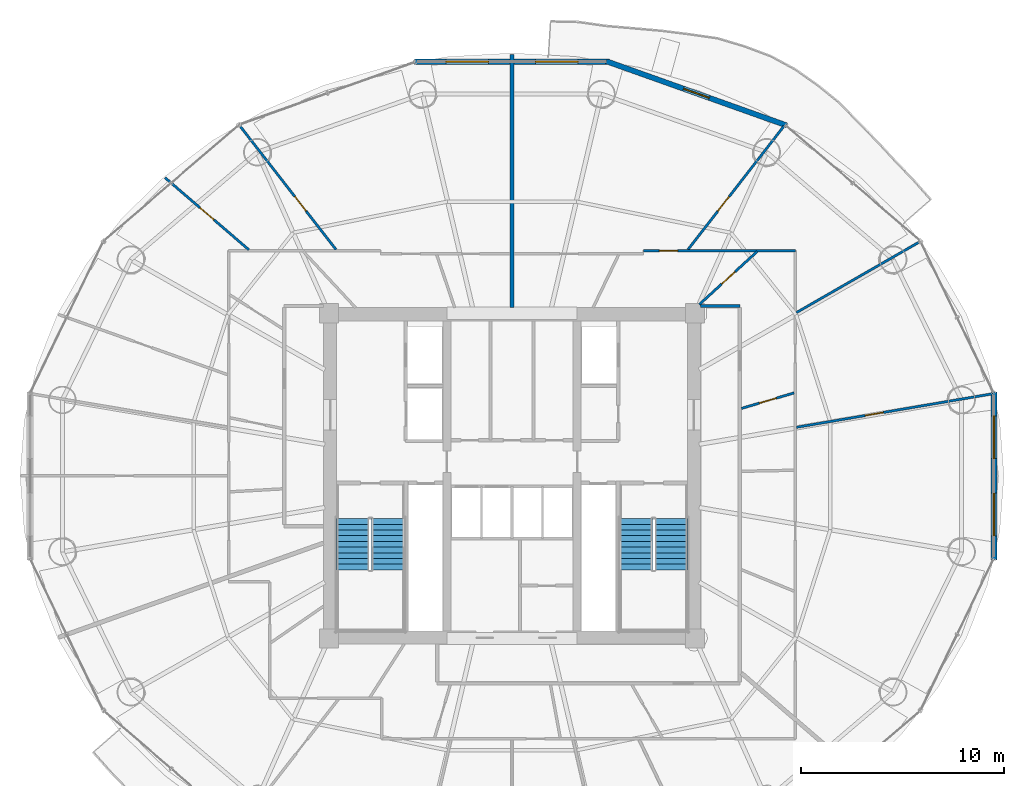
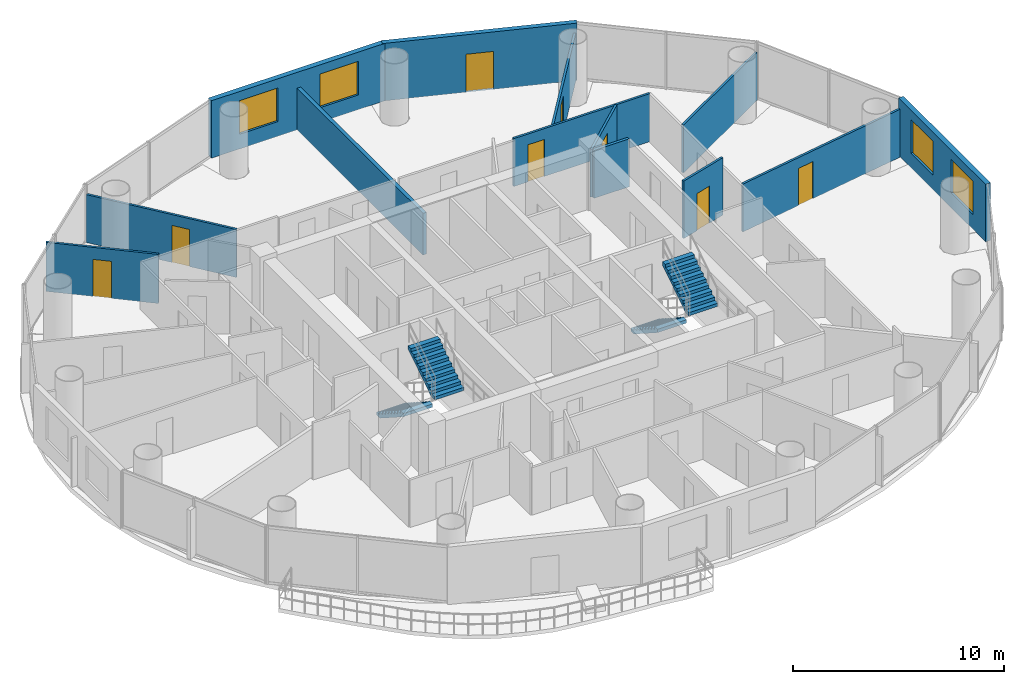
# One storey, part 24 of 27: 13 walls, 8 doors, 4 stair flights, 4 windows, 12 openings, 2 elements without a shape of their own.
"""IFC4 building model written with IfcOpenShell, lengths in metres."""

from ifc_helpers import new_model, si_unit, direction, frame, frame_2d, origin, place, context, subcontext, project, spatial, polyline, rectangle, outline, extrude, source, transform, mapped, material, layer, layer_set, type_object, element, fill, aggregate, save


model = new_model("IFC4")

# Units and contexts
model_context = context("Model", 3, precision=1e-05, world=origin(), true_north=direction((-0.2419218956, 0.970295726276)))
body_context = subcontext(model_context, "Body", "Model", "MODEL_VIEW")
ifc_project = project(units=[si_unit("LENGTHUNIT", "METRE"), si_unit("AREAUNIT", "SQUARE_METRE"), si_unit("VOLUMEUNIT", "CUBIC_METRE"), si_unit("PLANEANGLEUNIT", "RADIAN"), si_unit("MASSUNIT", "GRAM", prefix="KILO")], contexts=[model_context])

# Site, building, storey
site_placement = place(None, origin())
site = spatial("IfcSite", under=ifc_project, at=site_placement, CompositionType="ELEMENT")
building_placement = place(site_placement, origin())
building = spatial("IfcBuilding", under=site, at=building_placement, Name="Cobrevalo Terracotta Tower", CompositionType="ELEMENT")
storey_placement = place(building_placement, frame((0.0, 0.0, 149.800048828125)))
storey = spatial("IfcBuildingStorey", under=building, at=storey_placement, Name="L39", CompositionType="ELEMENT", Elevation=149.800048828125)

# Walls
ifc_material_1 = material(Name="Gypsum board on steel stud", Category="steel")
ifc_layer_1 = layer(ifc_material_1, 0.159912109375)
ifc_layer_set_1 = layer_set([ifc_layer_1], Name="Gypsum board on steel stud")
wall_type_1 = type_object("IfcWallType", Name="Fire-rated corridor acoustic partition wall 160 mm", PredefinedType="PARTITIONING", material=ifc_layer_set_1)
wall_1_placement = place(storey_placement, frame((47.27490234375, 35.155029296875, 0.0), z_axis=(0.0, 0.0, 1.0), x_axis=(1.0, 0.0, 0.0)))
element("IfcWall", 1, at=wall_1_placement, inside=storey, type_object=wall_type_1, Name="L39 interior partition IW-L39-COR-EN-CAP", PredefinedType="PARTITIONING", context=body_context, shape_type="SweptSolid", body=[
    extrude(rectangle(XDim=1.93017578125, YDim=0.159912109375, at=frame_2d((0.965087890625, 0.0))), origin(), (0.0, 0.0, 1.0), 2.77587890625),
])
ifc_material_2 = material(Name="Autoclaved aerated concrete block", Category="concrete")
ifc_layer_2 = layer(ifc_material_2, 0.199951171875)
ifc_layer_set_2 = layer_set([ifc_layer_2], Name="Autoclaved aerated concrete block")
wall_type_2 = type_object("IfcWallType", Name="Fire-rated stair, shaft & demising masonry wall 200 mm", PredefinedType="PARTITIONING", material=ifc_layer_set_2)
wall_2_placement = place(storey_placement, frame((38.0, 35.074951171875, 0.0), z_axis=(0.0, 0.0, 1.0), x_axis=(0.0, 1.0, 0.0)))
element("IfcWall", 2, at=wall_2_placement, inside=storey, type_object=wall_type_2, Name="L39 interior partition IW-L39-DEM-1", PredefinedType="PARTITIONING", context=body_context, shape_type="SweptSolid", body=[
    extrude(rectangle(XDim=12.465087890625, YDim=0.199951171875, at=frame_2d((6.232421875, 0.0))), origin(), (0.0, 0.0, 1.0), 2.4150390625),
])

# Wall, openings, windows
ifc_layer_3 = layer(ifc_material_2, 0.280029296875)
ifc_layer_set_3 = layer_set([ifc_layer_3], Name="Autoclaved aerated concrete block")
wall_type_3 = type_object("IfcWallType", Name="Insulated tower spandrel & pier wall 280 mm with terracotta rainscreen", PredefinedType="SOLIDWALL", material=ifc_layer_set_3)
wall_3_placement = place(storey_placement, frame((42.79541015625, 47.1708984375, 0.0), z_axis=(0.0, 0.0, 1.0), x_axis=(-1.0, 0.0, 0.0)))
wall_3 = element("IfcWall", 3, at=wall_3_placement, inside=storey, type_object=wall_type_3, Name="L39 terracotta rainscreen pier wall S04", PredefinedType="SOLIDWALL", context=body_context, shape_type="SweptSolid", body=[
    extrude(rectangle(XDim=9.5908203125, YDim=0.280029296875, at=frame_2d((4.79541015625, 0.0))), origin(), (0.0, 0.0, 1.0), 3.329833984375),
])
opening_1_placement = place(wall_3_placement, frame((1.53955078125, 0.0, 0.85009765625)))
opening_1 = element("IfcOpeningElement", 4, at=opening_1_placement, cuts=wall_3, Name="Opening WN-10", PredefinedType="OPENING", context=body_context, shape_type="SweptSolid", body=[
    extrude(rectangle(XDim=2.10009765625, YDim=1.949951171875, at=frame_2d((1.050048828125, 0.97509765625))), frame((0.0, 0.14990234375, 0.0), z_axis=(0.0, -1.0, 0.0), x_axis=(1.0, 0.0, 0.0)), (0.0, 0.0, 1.0), 0.300048828125),
])
opening_2_placement = place(wall_3_placement, frame((5.951171875, 0.0, 0.85009765625)))
opening_2 = element("IfcOpeningElement", 5, at=opening_2_placement, cuts=wall_3, Name="Opening WN-10", PredefinedType="OPENING", context=body_context, shape_type="SweptSolid", body=[
    extrude(rectangle(XDim=2.10009765625, YDim=1.949951171875, at=frame_2d((1.050048828125, 0.97509765625))), frame((0.0, 0.14990234375, 0.0), z_axis=(0.0, -1.0, 0.0), x_axis=(1.0, 0.0, 0.0)), (0.0, 0.0, 1.0), 0.300048828125),
])
ifc_material_3 = material(Name="Solar-control low-E double glazing", Category="glass")
window_type = type_object("IfcWindowType", Name="Wide panoramic low-E aluminium window 2100x1950", PartitioningType="SINGLE_PANEL", PredefinedType="WINDOW", material=ifc_material_3)
shared_shape_1 = source(origin(), body_context, "Body", "SweptSolid", [
    extrude(rectangle(XDim=2.10009765625, YDim=1.949951171875, at=frame_2d((1.050048828125, 0.97509765625))), frame((0.0, 0.030029296875, 0.0), z_axis=(0.0, -1.0, 0.0), x_axis=(1.0, 0.0, 0.0)), (0.0, 0.0, 1.0), 0.06005859375),
])
window_1_placement = place(opening_1_placement, origin())
window_1 = element("IfcWindow", 6, at=window_1_placement, inside=storey, type_object=window_type, Name="L39 suite window S04A", OverallHeight=1.949951171875, OverallWidth=2.10009765625, PartitioningType="SINGLE_PANEL", PredefinedType="WINDOW", context=body_context, shape_type="MappedRepresentation", body=[
    mapped(shared_shape_1, transform((0.0, 0.0, 0.0), scale=1.0)),
])
fill(opening_1, window_1)
window_2_placement = place(opening_2_placement, origin())
window_2 = element("IfcWindow", 7, at=window_2_placement, inside=storey, type_object=window_type, Name="L39 suite window S04B", OverallHeight=1.949951171875, OverallWidth=2.10009765625, PartitioningType="SINGLE_PANEL", PredefinedType="WINDOW", context=body_context, shape_type="MappedRepresentation", body=[
    mapped(shared_shape_1, transform((0.0, 0.0, 0.0), scale=1.0)),
])
fill(opening_2, window_2)

wall_4_placement = place(storey_placement, frame((61.70556640625, 22.66796875, 0.0), z_axis=(0.0, 0.0, 1.0), x_axis=(0.0, 1.0, 0.0)))
wall_4 = element("IfcWall", 8, at=wall_4_placement, inside=storey, type_object=wall_type_3, Name="L39 terracotta rainscreen pier wall S16", PredefinedType="SOLIDWALL", context=body_context, shape_type="SweptSolid", body=[
    extrude(rectangle(XDim=8.26416015625, YDim=0.280029296875, at=frame_2d((4.132080078125, 0.0))), origin(), (0.0, 0.0, 1.0), 3.329833984375),
])
opening_3_placement = place(wall_4_placement, frame((1.181396484375, 0.0, 0.85009765625)))
opening_3 = element("IfcOpeningElement", 9, at=opening_3_placement, cuts=wall_4, Name="Opening WN-10", PredefinedType="OPENING", context=body_context, shape_type="SweptSolid", body=[
    extrude(rectangle(XDim=2.10009765625, YDim=1.949951171875, at=frame_2d((1.050048828125, 0.97509765625))), frame((0.0, 0.14990234375, 0.0), z_axis=(0.0, -1.0, 0.0), x_axis=(1.0, 0.0, 0.0)), (0.0, 0.0, 1.0), 0.300048828125),
])
opening_4_placement = place(wall_4_placement, frame((4.98291015625, 0.0, 0.85009765625)))
opening_4 = element("IfcOpeningElement", 10, at=opening_4_placement, cuts=wall_4, Name="Opening WN-10", PredefinedType="OPENING", context=body_context, shape_type="SweptSolid", body=[
    extrude(rectangle(XDim=2.10009765625, YDim=1.949951171875, at=frame_2d((1.050048828125, 0.97509765625))), frame((0.0, 0.14990234375, 0.0), z_axis=(0.0, -1.0, 0.0), x_axis=(1.0, 0.0, 0.0)), (0.0, 0.0, 1.0), 0.300048828125),
])
window_3_placement = place(opening_3_placement, origin())
window_3 = element("IfcWindow", 11, at=window_3_placement, inside=storey, type_object=window_type, Name="L39 suite window S16A", OverallHeight=1.949951171875, OverallWidth=2.10009765625, PartitioningType="SINGLE_PANEL", PredefinedType="WINDOW", context=body_context, shape_type="MappedRepresentation", body=[
    mapped(shared_shape_1, transform((0.0, 0.0, 0.0), scale=1.0)),
])
fill(opening_3, window_3)
window_4_placement = place(opening_4_placement, origin())
window_4 = element("IfcWindow", 12, at=window_4_placement, inside=storey, type_object=window_type, Name="L39 suite window S16B", OverallHeight=1.949951171875, OverallWidth=2.10009765625, PartitioningType="SINGLE_PANEL", PredefinedType="WINDOW", context=body_context, shape_type="MappedRepresentation", body=[
    mapped(shared_shape_1, transform((0.0, 0.0, 0.0), scale=1.0)),
])
fill(opening_4, window_4)

# Wall, opening, door
ifc_layer_4 = layer(ifc_material_2, 0.260009765625)
ifc_layer_set_4 = layer_set([ifc_layer_4], Name="Autoclaved aerated concrete block")
wall_type_4 = type_object("IfcWallType", Name="Recessed balcony loggia insulated exterior wall 260 mm", PredefinedType="SOLIDWALL", material=ifc_layer_set_4)
wall_5_placement = place(storey_placement, frame((51.50341796875, 44.042724609375, 0.0), z_axis=(0.0, 0.0, 1.0), x_axis=(-0.942095406405, 0.335344964522, 0.0)))
wall_5 = element("IfcWall", 13, at=wall_5_placement, inside=storey, type_object=wall_type_4, Name="L39 balcony loggia wall S03", PredefinedType="SOLIDWALL", context=body_context, shape_type="SweptSolid", body=[
    extrude(rectangle(XDim=9.408203125, YDim=0.260009765625, at=frame_2d((4.7041015625, 0.0))), origin(), (0.0, 0.0, 1.0), 3.329833984375),
])
opening_5_placement = place(wall_5_placement, frame((4.029052734375, 0.0, 0.0)))
opening_5 = element("IfcOpeningElement", 14, at=opening_5_placement, cuts=wall_5, Name="Opening ED-05", PredefinedType="OPENING", context=body_context, shape_type="SweptSolid", body=[
    extrude(rectangle(XDim=1.35009765625, YDim=2.199951171875, at=frame_2d((0.675048828125, 1.10009765625))), frame((0.0, 0.14013671875, 0.0), z_axis=(0.0, -1.0, 0.0), x_axis=(1.0, 0.0, 0.0)), (0.0, 0.0, 1.0), 0.280029296875),
])
ifc_material_4 = material(Name="Anodized aluminium and laminated glass", Category="aluminium")
door_type_1 = type_object("IfcDoorType", Name="Suite balcony acoustic glazed terrace door 1350x2200", OperationType="NOTDEFINED", PredefinedType="DOOR", material=ifc_material_4)
shared_shape_2 = source(origin(), body_context, "Body", "SweptSolid", [
    extrude(rectangle(XDim=1.35009765625, YDim=2.199951171875, at=frame_2d((0.675048828125, 1.10009765625))), frame((0.0, 0.02490234375, 0.0), z_axis=(0.0, -1.0, 0.0), x_axis=(1.0, 0.0, 0.0)), (0.0, 0.0, 1.0), 0.050048828125),
])
door_1_placement = place(opening_5_placement, frame((1.35009765625, 0.0, 0.0), z_axis=(0.0, 0.0, 1.0), x_axis=(-1.0, 0.0, 0.0)))
door_1 = element("IfcDoor", 15, at=door_1_placement, inside=storey, type_object=door_type_1, Name="L39 glazed balcony terrace door 1", OperationType="SINGLE_SWING_LEFT", OverallHeight=2.199951171875, OverallWidth=1.35009765625, PredefinedType="DOOR", context=body_context, shape_type="MappedRepresentation", body=[
    mapped(shared_shape_2, transform((0.0, 0.0, 0.0), scale=1.0)),
])
fill(opening_5, door_1)

ifc_layer_5 = layer(ifc_material_1, 0.1201171875)
ifc_layer_set_5 = layer_set([ifc_layer_5], Name="Gypsum board on steel stud")
wall_type_5 = type_object("IfcWallType", Name="Residential internal acoustic stud partition 120 mm", PredefinedType="PARTITIONING", material=ifc_layer_set_5)
wall_6_placement = place(storey_placement, frame((29.344482421875, 37.933837890625, 0.0), z_axis=(0.0, 0.0, 1.0), x_axis=(-0.613758289074, 0.789493991487, 0.0)))
wall_6 = element("IfcWall", 16, at=wall_6_placement, inside=storey, type_object=wall_type_5, Name="L39 interior partition IW-L39-U1-ORAD1", PredefinedType="PARTITIONING", context=body_context, shape_type="SweptSolid", body=[
    extrude(rectangle(XDim=7.695068359375, YDim=0.1201171875, at=frame_2d((3.84765625, 0.0))), origin(), (0.0, 0.0, 1.0), 2.77587890625),
])
opening_6_placement = place(wall_6_placement, frame((2.399169921875, 0.0, 0.0)))
opening_6 = element("IfcOpeningElement", 17, at=opening_6_placement, cuts=wall_6, Name="Opening ID-12", PredefinedType="OPENING", context=body_context, shape_type="SweptSolid", body=[
    extrude(rectangle(XDim=0.89990234375, YDim=2.14990234375, at=frame_2d((0.449951171875, 1.074951171875))), frame((0.0, 0.070068359375, 0.0), z_axis=(0.0, -1.0, 0.0), x_axis=(1.0, 0.0, 0.0)), (0.0, 0.0, 1.0), 0.14013671875),
])
ifc_material_5 = material(Name="Engineered timber", Category="wood")
door_type_2 = type_object("IfcDoorType", Name="Internal residence & suite timber door 900x2150", OperationType="NOTDEFINED", PredefinedType="DOOR", material=ifc_material_5)
shared_shape_3 = source(origin(), body_context, "Body", "SweptSolid", [
    extrude(rectangle(XDim=0.89990234375, YDim=2.14990234375, at=frame_2d((0.449951171875, 1.074951171875))), frame((0.0, 0.02490234375, 0.0), z_axis=(0.0, -1.0, 0.0), x_axis=(1.0, 0.0, 0.0)), (0.0, 0.0, 1.0), 0.050048828125),
])
door_2_placement = place(opening_6_placement, frame((0.89990234375, 0.0, 0.0), z_axis=(0.0, 0.0, 1.0), x_axis=(-1.0, 0.0, 0.0)))
door_2 = element("IfcDoor", 18, at=door_2_placement, inside=storey, type_object=door_type_2, Name="Flat L39A Penthouse Living and Dining Room internal door", OperationType="SINGLE_SWING_LEFT", OverallHeight=2.14990234375, OverallWidth=0.89990234375, PredefinedType="DOOR", context=body_context, shape_type="MappedRepresentation", body=[
    mapped(shared_shape_3, transform((0.0, 0.0, 0.0), scale=1.0)),
])
fill(opening_6, door_2)

wall_7_placement = place(storey_placement, frame((25.055908203125, 37.92529296875, 0.0), z_axis=(0.0, 0.0, 1.0), x_axis=(-0.758354915574, 0.65184186888, 0.0)))
wall_7 = element("IfcWall", 19, at=wall_7_placement, inside=storey, type_object=wall_type_5, Name="L39 interior partition IW-L39-U1-ORAD2M1", PredefinedType="PARTITIONING", context=body_context, shape_type="SweptSolid", body=[
    extrude(rectangle(XDim=5.432373046875, YDim=0.1201171875, at=frame_2d((2.71630859375, 0.0))), origin(), (0.0, 0.0, 1.0), 2.845947265625),
])
opening_7_placement = place(wall_7_placement, frame((2.26611328125, 0.0, 0.0)))
opening_7 = element("IfcOpeningElement", 20, at=opening_7_placement, cuts=wall_7, Name="Opening ID-12", PredefinedType="OPENING", context=body_context, shape_type="SweptSolid", body=[
    extrude(rectangle(XDim=0.89990234375, YDim=2.14990234375, at=frame_2d((0.449951171875, 1.074951171875))), frame((0.0, 0.070068359375, 0.0), z_axis=(0.0, -1.0, 0.0), x_axis=(1.0, 0.0, 0.0)), (0.0, 0.0, 1.0), 0.14013671875),
])
door_3_placement = place(opening_7_placement, frame((0.89990234375, 0.0, 0.0), z_axis=(0.0, 0.0, 1.0), x_axis=(-1.0, 0.0, 0.0)))
door_3 = element("IfcDoor", 21, at=door_3_placement, inside=storey, type_object=door_type_2, Name="Flat L39A Master Bedroom internal door", OperationType="SINGLE_SWING_RIGHT", OverallHeight=2.14990234375, OverallWidth=0.89990234375, PredefinedType="DOOR", context=body_context, shape_type="MappedRepresentation", body=[
    mapped(shared_shape_3, transform((0.0, 0.0, 0.0), scale=1.0)),
])
fill(opening_7, door_3)

wall_8_placement = place(storey_placement, frame((44.465087890625, 37.885009765625, 0.0), z_axis=(0.0, 0.0, 1.0), x_axis=(1.0, 0.0, 0.0)))
wall_8 = element("IfcWall", 22, at=wall_8_placement, inside=storey, type_object=wall_type_5, Name="L39 interior partition IW-L39-U3-RING2_0", PredefinedType="PARTITIONING", context=body_context, shape_type="SweptSolid", body=[
    extrude(rectangle(XDim=7.469970703125, YDim=0.1201171875, at=frame_2d((3.73486328125, 0.0))), origin(), (0.0, 0.0, 1.0), 2.77587890625),
])
opening_8_placement = place(wall_8_placement, frame((0.7783203125, 0.0, 0.0)))
opening_8 = element("IfcOpeningElement", 23, at=opening_8_placement, cuts=wall_8, Name="Opening ID-12", PredefinedType="OPENING", context=body_context, shape_type="SweptSolid", body=[
    extrude(rectangle(XDim=0.89990234375, YDim=2.14990234375, at=frame_2d((0.449951171875, 1.074951171875))), frame((0.0, 0.070068359375, 0.0), z_axis=(0.0, -1.0, 0.0), x_axis=(1.0, 0.0, 0.0)), (0.0, 0.0, 1.0), 0.14013671875),
])
door_4_placement = place(opening_8_placement, origin())
door_4 = element("IfcDoor", 24, at=door_4_placement, inside=storey, type_object=door_type_2, Name="Flat L39C Penthouse Family Lounge internal door", OperationType="SINGLE_SWING_LEFT", OverallHeight=2.14990234375, OverallWidth=0.89990234375, PredefinedType="DOOR", context=body_context, shape_type="MappedRepresentation", body=[
    mapped(shared_shape_3, transform((0.0, 0.0, 0.0), scale=1.0)),
])
fill(opening_8, door_4)

wall_9_placement = place(storey_placement, frame((51.99609375, 29.19287109375, 0.0), z_axis=(0.0, 0.0, 1.0), x_axis=(0.985698378271, 0.168519159369, 0.0)))
wall_9 = element("IfcWall", 25, at=wall_9_placement, inside=storey, type_object=wall_type_5, Name="L39 interior partition IW-L39-U3-ORAD1", PredefinedType="PARTITIONING", context=body_context, shape_type="SweptSolid", body=[
    extrude(rectangle(XDim=9.768798828125, YDim=0.1201171875, at=frame_2d((4.88427734375, 0.0))), origin(), (0.0, 0.0, 1.0), 2.77587890625),
])
opening_9_placement = place(wall_9_placement, frame((3.427734375, 0.0, 0.0)))
opening_9 = element("IfcOpeningElement", 26, at=opening_9_placement, cuts=wall_9, Name="Opening ID-12", PredefinedType="OPENING", context=body_context, shape_type="SweptSolid", body=[
    extrude(rectangle(XDim=0.89990234375, YDim=2.14990234375, at=frame_2d((0.449951171875, 1.074951171875))), frame((0.0, 0.070068359375, 0.0), z_axis=(0.0, -1.0, 0.0), x_axis=(1.0, 0.0, 0.0)), (0.0, 0.0, 1.0), 0.14013671875),
])
door_5_placement = place(opening_9_placement, frame((0.89990234375, 0.0, 0.0), z_axis=(0.0, 0.0, 1.0), x_axis=(-1.0, 0.0, 0.0)))
door_5 = element("IfcDoor", 27, at=door_5_placement, inside=storey, type_object=door_type_2, Name="Flat L39C Penthouse Living and Dining Room internal door", OperationType="SINGLE_SWING_LEFT", OverallHeight=2.14990234375, OverallWidth=0.89990234375, PredefinedType="DOOR", context=body_context, shape_type="MappedRepresentation", body=[
    mapped(shared_shape_3, transform((0.0, 0.0, 0.0), scale=1.0)),
])
fill(opening_9, door_5)

# Wall
wall_10_placement = place(storey_placement, frame((51.98876953125, 34.833740234375, 0.0), z_axis=(0.0, 0.0, 1.0), x_axis=(0.86717064002, 0.498011125466, 0.0)))
element("IfcWall", 28, at=wall_10_placement, inside=storey, type_object=wall_type_5, Name="L39 interior partition IW-L39-U3-ORAD2M1", PredefinedType="PARTITIONING", context=body_context, shape_type="SweptSolid", body=[
    extrude(rectangle(XDim=6.961181640625, YDim=0.1201171875, at=frame_2d((3.48046875, 0.0))), origin(), (0.0, 0.0, 1.0), 2.77587890625),
])

# Wall, opening, door
wall_11_placement = place(storey_placement, frame((46.655517578125, 37.933837890625, 0.0), z_axis=(0.0, 0.0, 1.0), x_axis=(0.613758289074, 0.789493991487, 0.0)))
wall_11 = element("IfcWall", 29, at=wall_11_placement, inside=storey, type_object=wall_type_5, Name="L39 interior partition IW-L39-U3-ORAD2", PredefinedType="PARTITIONING", context=body_context, shape_type="SweptSolid", body=[
    extrude(rectangle(XDim=7.695068359375, YDim=0.1201171875, at=frame_2d((3.84765625, 0.0))), origin(), (0.0, 0.0, 1.0), 2.77587890625),
])
opening_10_placement = place(wall_11_placement, frame((2.394775390625, 0.0, 0.0)))
opening_10 = element("IfcOpeningElement", 30, at=opening_10_placement, cuts=wall_11, Name="Opening ID-12", PredefinedType="OPENING", context=body_context, shape_type="SweptSolid", body=[
    extrude(rectangle(XDim=0.89990234375, YDim=2.14990234375, at=frame_2d((0.449951171875, 1.074951171875))), frame((0.0, 0.070068359375, 0.0), z_axis=(0.0, -1.0, 0.0), x_axis=(1.0, 0.0, 0.0)), (0.0, 0.0, 1.0), 0.14013671875),
])
door_6_placement = place(opening_10_placement, frame((0.89990234375, 0.0, 0.0), z_axis=(0.0, 0.0, 1.0), x_axis=(-1.0, 0.0, 0.0)))
door_6 = element("IfcDoor", 31, at=door_6_placement, inside=storey, type_object=door_type_2, Name="Flat L39C Principal Guest Bedroom internal door", OperationType="SINGLE_SWING_RIGHT", OverallHeight=2.14990234375, OverallWidth=0.89990234375, PredefinedType="DOOR", context=body_context, shape_type="MappedRepresentation", body=[
    mapped(shared_shape_3, transform((0.0, 0.0, 0.0), scale=1.0)),
])
fill(opening_10, door_6)

wall_12_placement = place(storey_placement, frame((49.286865234375, 30.121337890625, 0.0), z_axis=(0.0, 0.0, 1.0), x_axis=(0.959304970846, 0.282372046969, 0.0)))
wall_12 = element("IfcWall", 32, at=wall_12_placement, inside=storey, type_object=wall_type_5, Name="L39 interior partition IW-L39-U3-IRAD3", PredefinedType="PARTITIONING", context=body_context, shape_type="SweptSolid", body=[
    extrude(rectangle(XDim=2.698486328125, YDim=0.1201171875, at=frame_2d((1.34912109375, 0.0))), origin(), (0.0, 0.0, 1.0), 3.329833984375),
])
opening_11_placement = place(wall_12_placement, frame((0.919189453125, 0.0, 0.0)))
opening_11 = element("IfcOpeningElement", 33, at=opening_11_placement, cuts=wall_12, Name="Opening ID-19", PredefinedType="OPENING", context=body_context, shape_type="SweptSolid", body=[
    extrude(rectangle(XDim=0.860107421875, YDim=2.14990234375, at=frame_2d((0.43017578125, 1.074951171875))), frame((0.0, 0.070068359375, 0.0), z_axis=(0.0, -1.0, 0.0), x_axis=(1.0, 0.0, 0.0)), (0.0, 0.0, 1.0), 0.14013671875),
])
ifc_material_6 = material(Name="Moisture-sealed timber", Category="wood")
door_type_3 = type_object("IfcDoorType", Name="Suite bathroom internal timber door 860x2150", OperationType="NOTDEFINED", PredefinedType="DOOR", material=ifc_material_6)
shared_shape_4 = source(origin(), body_context, "Body", "SweptSolid", [
    extrude(rectangle(XDim=0.860107421875, YDim=2.14990234375, at=frame_2d((0.43017578125, 1.074951171875))), frame((0.0, 0.02490234375, 0.0), z_axis=(0.0, -1.0, 0.0), x_axis=(1.0, 0.0, 0.0)), (0.0, 0.0, 1.0), 0.050048828125),
])
door_7_placement = place(opening_11_placement, frame((0.860107421875, 0.0, 0.0), z_axis=(0.0, 0.0, 1.0), x_axis=(-1.0, 0.0, 0.0)))
door_7 = element("IfcDoor", 34, at=door_7_placement, inside=storey, type_object=door_type_3, Name="Flat L39C Primary Bathroom internal door", OperationType="SINGLE_SWING_LEFT", OverallHeight=2.14990234375, OverallWidth=0.860107421875, PredefinedType="DOOR", context=body_context, shape_type="MappedRepresentation", body=[
    mapped(shared_shape_4, transform((0.0, 0.0, 0.0), scale=1.0)),
])
fill(opening_11, door_7)

wall_13_placement = place(storey_placement, frame((47.2158203125, 35.235107421875, 0.0), z_axis=(0.0, 0.0, 1.0), x_axis=(0.73766811085, 0.675163504816, 0.0)))
wall_13 = element("IfcWall", 35, at=wall_13_placement, inside=storey, type_object=wall_type_5, Name="L39 interior partition IW-L39-U3-IRAD4", PredefinedType="PARTITIONING", context=body_context, shape_type="SweptSolid", body=[
    extrude(rectangle(XDim=3.863037109375, YDim=0.1201171875, at=frame_2d((1.931640625, 0.0))), origin(), (0.0, 0.0, 1.0), 2.77587890625),
])
opening_12_placement = place(wall_13_placement, frame((1.4814453125, 0.0, 0.0)))
opening_12 = element("IfcOpeningElement", 36, at=opening_12_placement, cuts=wall_13, Name="Opening ID-12", PredefinedType="OPENING", context=body_context, shape_type="SweptSolid", body=[
    extrude(rectangle(XDim=0.89990234375, YDim=2.14990234375, at=frame_2d((0.449951171875, 1.074951171875))), frame((0.0, 0.070068359375, 0.0), z_axis=(0.0, -1.0, 0.0), x_axis=(1.0, 0.0, 0.0)), (0.0, 0.0, 1.0), 0.14013671875),
])
door_8_placement = place(opening_12_placement, origin())
door_8 = element("IfcDoor", 37, at=door_8_placement, inside=storey, type_object=door_type_2, Name="Flat L39C Kitchen internal door", OperationType="SINGLE_SWING_RIGHT", OverallHeight=2.14990234375, OverallWidth=0.89990234375, PredefinedType="DOOR", context=body_context, shape_type="MappedRepresentation", body=[
    mapped(shared_shape_3, transform((0.0, 0.0, 0.0), scale=1.0)),
])
fill(opening_12, door_8)

# Stair, stair flights
ifc_material_7 = material(Name="Concrete C50", Category="concrete")
stair_type = type_object("IfcStairType", Name="Core protected escape dogleg stair 1600", PredefinedType="HALF_TURN_STAIR", material=ifc_material_7)
stair_1_placement = place(storey_placement, origin())
stair_1 = element("IfcStair", 38, at=stair_1_placement, inside=storey, type_object=stair_type, Name="L39 Protected exit stair ST-1", PredefinedType="HALF_TURN_STAIR")
stair_flight_type = type_object("IfcStairFlightType", Name="Core protected escape dogleg stair 1600 flight", PredefinedType="STRAIGHT", material=ifc_material_7)
stair_flight_1_placement = place(storey_placement, frame((30.175048828125, 24.699951171875, 0.0), z_axis=(0.0, 0.0, 1.0), x_axis=(0.0, -1.0, 0.0)))
stair_flight_1 = element("IfcStairFlight", 39, at=stair_flight_1_placement, type_object=stair_flight_type, Name="ST-1 flight 1", NumberOfRisers=10, NumberOfTreads=9, PredefinedType="STRAIGHT", RiserHeight=0.18, TreadLength=0.28, context=body_context, shape_type="SweptSolid", body=[
    extrude(outline(polyline([(0.0, 0.0), (0.0, 0.179931640625), (0.280029296875, 0.179931640625), (0.280029296875, 0.360107421875), (0.56005859375, 0.360107421875), (0.56005859375, 0.5400390625), (0.840087890625, 0.5400390625), (0.840087890625, 0.719970703125), (1.1201171875, 0.719970703125), (1.1201171875, 0.89990234375), (1.39990234375, 0.89990234375), (1.39990234375, 1.080078125), (1.679931640625, 1.080078125), (1.679931640625, 1.260009765625), (1.9599609375, 1.260009765625), (1.9599609375, 1.43994140625), (2.239990234375, 1.43994140625), (2.239990234375, 1.6201171875), (2.52001953125, 1.6201171875), (2.52001953125, 1.800048828125), (2.52001953125, 1.429931640625), (0.295654296875, 0.0), (0.0, 0.0)])), frame((0.0, 0.800048828125, 0.0), z_axis=(0.0, -1.0, 0.0), x_axis=(1.0, 0.0, 0.0)), (0.0, 0.0, 1.0), 1.60009765625),
])
stair_flight_2_placement = place(storey_placement, frame((31.89501953125, 22.179931640625, 1.800048828125), z_axis=(0.0, 0.0, 1.0), x_axis=(0.0, 1.0, 0.0)))
stair_flight_2 = element("IfcStairFlight", 40, at=stair_flight_2_placement, type_object=stair_flight_type, Name="ST-1 flight 2", NumberOfRisers=10, NumberOfTreads=9, PredefinedType="STRAIGHT", RiserHeight=0.18, TreadLength=0.28, context=body_context, shape_type="SweptSolid", body=[
    extrude(outline(polyline([(0.0, 0.0), (0.0, 0.179931640625), (0.280029296875, 0.179931640625), (0.280029296875, 0.360107421875), (0.56005859375, 0.360107421875), (0.56005859375, 0.5400390625), (0.840087890625, 0.5400390625), (0.840087890625, 0.719970703125), (1.1201171875, 0.719970703125), (1.1201171875, 0.89990234375), (1.39990234375, 0.89990234375), (1.39990234375, 1.080078125), (1.679931640625, 1.080078125), (1.679931640625, 1.260009765625), (1.9599609375, 1.260009765625), (1.9599609375, 1.43994140625), (2.239990234375, 1.43994140625), (2.239990234375, 1.6201171875), (2.52001953125, 1.6201171875), (2.52001953125, 1.800048828125), (2.52001953125, 1.429931640625), (0.295654296875, 0.0), (0.0, 0.0)])), frame((0.0, 0.800048828125, 0.0), z_axis=(0.0, -1.0, 0.0), x_axis=(1.0, 0.0, 0.0)), (0.0, 0.0, 1.0), 1.60009765625),
])
aggregate(stair_1, [stair_flight_1, stair_flight_2])

stair_2_placement = place(storey_placement, origin())
stair_2 = element("IfcStair", 41, at=stair_2_placement, inside=storey, type_object=stair_type, Name="L39 Protected exit stair ST-2", PredefinedType="HALF_TURN_STAIR")
stair_flight_3_placement = place(storey_placement, frame((44.10498046875, 24.699951171875, 0.0), z_axis=(0.0, 0.0, 1.0), x_axis=(0.0, -1.0, 0.0)))
stair_flight_3 = element("IfcStairFlight", 42, at=stair_flight_3_placement, type_object=stair_flight_type, Name="ST-2 flight 1", NumberOfRisers=10, NumberOfTreads=9, PredefinedType="STRAIGHT", RiserHeight=0.18, TreadLength=0.28, context=body_context, shape_type="SweptSolid", body=[
    extrude(outline(polyline([(0.0, 0.0), (0.0, 0.179931640625), (0.280029296875, 0.179931640625), (0.280029296875, 0.360107421875), (0.56005859375, 0.360107421875), (0.56005859375, 0.5400390625), (0.840087890625, 0.5400390625), (0.840087890625, 0.719970703125), (1.1201171875, 0.719970703125), (1.1201171875, 0.89990234375), (1.39990234375, 0.89990234375), (1.39990234375, 1.080078125), (1.679931640625, 1.080078125), (1.679931640625, 1.260009765625), (1.9599609375, 1.260009765625), (1.9599609375, 1.43994140625), (2.239990234375, 1.43994140625), (2.239990234375, 1.6201171875), (2.52001953125, 1.6201171875), (2.52001953125, 1.800048828125), (2.52001953125, 1.429931640625), (0.295654296875, 0.0), (0.0, 0.0)])), frame((0.0, 0.800048828125, 0.0), z_axis=(0.0, -1.0, 0.0), x_axis=(1.0, 0.0, 0.0)), (0.0, 0.0, 1.0), 1.60009765625),
])
stair_flight_4_placement = place(storey_placement, frame((45.824951171875, 22.179931640625, 1.800048828125), z_axis=(0.0, 0.0, 1.0), x_axis=(0.0, 1.0, 0.0)))
stair_flight_4 = element("IfcStairFlight", 43, at=stair_flight_4_placement, type_object=stair_flight_type, Name="ST-2 flight 2", NumberOfRisers=10, NumberOfTreads=9, PredefinedType="STRAIGHT", RiserHeight=0.18, TreadLength=0.28, context=body_context, shape_type="SweptSolid", body=[
    extrude(outline(polyline([(0.0, 0.0), (0.0, 0.179931640625), (0.280029296875, 0.179931640625), (0.280029296875, 0.360107421875), (0.56005859375, 0.360107421875), (0.56005859375, 0.5400390625), (0.840087890625, 0.5400390625), (0.840087890625, 0.719970703125), (1.1201171875, 0.719970703125), (1.1201171875, 0.89990234375), (1.39990234375, 0.89990234375), (1.39990234375, 1.080078125), (1.679931640625, 1.080078125), (1.679931640625, 1.260009765625), (1.9599609375, 1.260009765625), (1.9599609375, 1.43994140625), (2.239990234375, 1.43994140625), (2.239990234375, 1.6201171875), (2.52001953125, 1.6201171875), (2.52001953125, 1.800048828125), (2.52001953125, 1.429931640625), (0.295654296875, 0.0), (0.0, 0.0)])), frame((0.0, 0.800048828125, 0.0), z_axis=(0.0, -1.0, 0.0), x_axis=(1.0, 0.0, 0.0)), (0.0, 0.0, 1.0), 1.60009765625),
])
aggregate(stair_2, [stair_flight_3, stair_flight_4])

save(model, "model.ifc")
